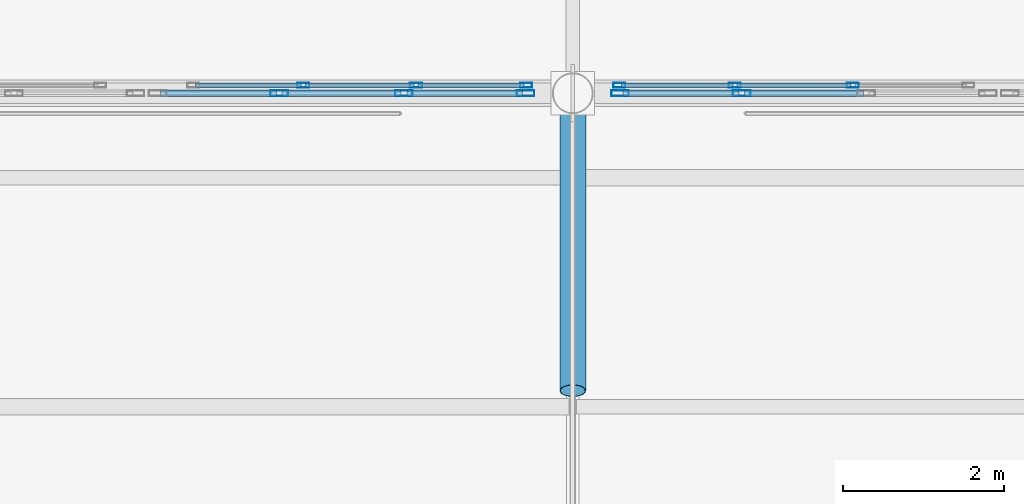
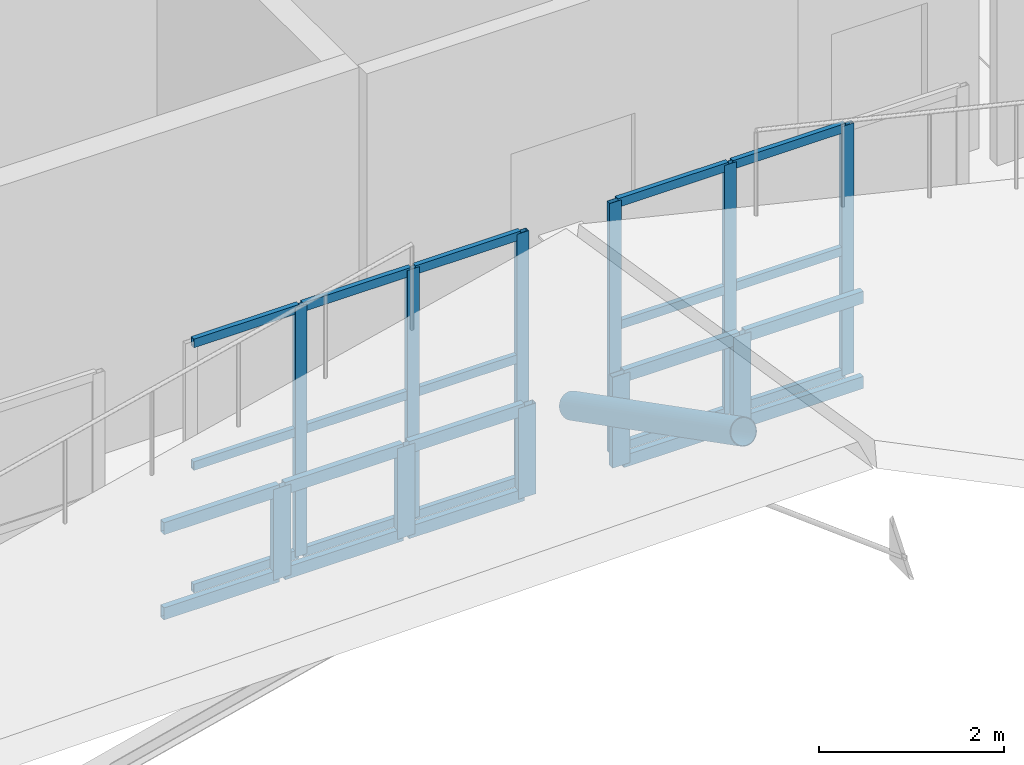
# One storey, part 46 of 120: 37 members, 4 elements without a shape of their own.
"""IFC4 building model written with IfcOpenShell, lengths in metres."""

from ifc_helpers import new_model, si_unit, direction, frame, origin, origin_2d, place, context, subcontext, project, spatial, hollow_rectangle, hollow_circle, extrude, material, material_profile, profile_set, type_object, element, aggregate, save


model = new_model("IFC4")

# Units and contexts
model_context = context("Model", 3, precision=1e-05, world=origin(), true_north=direction((0.0, 1.0)))
body_context = subcontext(model_context, "Body", "Model", "MODEL_VIEW")
ifc_project = project(units=[si_unit("LENGTHUNIT", "METRE"), si_unit("AREAUNIT", "SQUARE_METRE"), si_unit("VOLUMEUNIT", "CUBIC_METRE"), si_unit("PLANEANGLEUNIT", "RADIAN"), si_unit("MASSUNIT", "GRAM", prefix="KILO")], contexts=[model_context])

# Site, building, storey
site_placement = place(None, origin())
site = spatial("IfcSite", under=ifc_project, at=site_placement, CompositionType="ELEMENT")
building_placement = place(site_placement, origin())
building = spatial("IfcBuilding", under=site, at=building_placement, Name="Caurita Quay Ferry Terminal", CompositionType="ELEMENT")
storey_placement = place(building_placement, frame((0.0, 0.0, 9.89990234375)))
storey = spatial("IfcBuildingStorey", under=building, at=storey_placement, Name="L02", CompositionType="ELEMENT", Elevation=9.89990234375)

# Curtain wall, members
ifc_material_1 = material(Name="Laminated solar-control insulated glass", Category="glass")
curtain_wall_type_1 = type_object("IfcCurtainWallType", Name="CW-SYS-14", PredefinedType="NOTDEFINED", material=ifc_material_1)
curtain_wall_1_placement = place(storey_placement, origin())
curtain_wall_1 = element("IfcCurtainWall", 1, at=curtain_wall_1_placement, inside=storey, type_object=curtain_wall_type_1, Name="Mezzanine Hall Overlook Glazing 106", PredefinedType="NOTDEFINED")
ifc_material_2 = material(Name="Anodized aluminium 6063-T6", Category="aluminium")
ifc_material_profile_1 = material_profile(ifc_material_2, hollow_rectangle(XDim=0.06005859375, YDim=0.14990234375, WallThickness=0.00341796875, at=origin_2d()), Name="ALU-MUL-60X150")
ifc_profile_set_1 = profile_set([ifc_material_profile_1], Name="Anodized aluminium 6063-T6")
member_type_1 = type_object("IfcMemberType", Name="CW-MUL-150", PredefinedType="MULLION", material=ifc_profile_set_1)
member_1_placement = place(storey_placement, frame((95.85009765625, 62.800048828125, 0.0), z_axis=(0.0, 0.0, 1.0), x_axis=(0.0, 1.0, 0.0)))
member_1 = element("IfcMember", 2, at=member_1_placement, type_object=member_type_1, Name="CW-MZL-106 Mullion 2", PredefinedType="MULLION", context=body_context, shape_type="SweptSolid", body=[
    extrude(hollow_rectangle(XDim=0.06005859375, YDim=0.14990234375, WallThickness=0.00341796875, at=origin_2d()), origin(), (0.0, 0.0, 1.0), 3.300048828125),
])
member_2_placement = place(storey_placement, frame((97.25, 62.800048828125, 0.0), z_axis=(0.0, 0.0, 1.0), x_axis=(0.0, 1.0, 0.0)))
member_2 = element("IfcMember", 3, at=member_2_placement, type_object=member_type_1, Name="CW-MZL-106 Mullion 3", PredefinedType="MULLION", context=body_context, shape_type="SweptSolid", body=[
    extrude(hollow_rectangle(XDim=0.06005859375, YDim=0.14990234375, WallThickness=0.00341796875, at=origin_2d()), origin(), (0.0, 0.0, 1.0), 3.300048828125),
])
member_3_placement = place(storey_placement, frame((98.6201171875, 62.800048828125, 0.0), z_axis=(0.0, 0.0, 1.0), x_axis=(0.0, 1.0, 0.0)))
member_3 = element("IfcMember", 4, at=member_3_placement, type_object=member_type_1, Name="CW-MZL-106 Mullion 4", PredefinedType="MULLION", context=body_context, shape_type="SweptSolid", body=[
    extrude(hollow_rectangle(XDim=0.06005859375, YDim=0.14990234375, WallThickness=0.00341796875, at=origin_2d()), origin(), (0.0, 0.0, 1.0), 3.300048828125),
])

curtain_wall_type_2 = type_object("IfcCurtainWallType", Name="CW-SYS-13", PredefinedType="NOTDEFINED", material=ifc_material_1)
curtain_wall_2_placement = place(storey_placement, origin())
curtain_wall_2 = element("IfcCurtainWall", 5, at=curtain_wall_2_placement, inside=storey, type_object=curtain_wall_type_2, Name="Mezzanine Hall Overlook Glazing 107", PredefinedType="NOTDEFINED")
member_4_placement = place(storey_placement, frame((99.780029296875, 62.800048828125, 0.0), z_axis=(0.0, 0.0, 1.0), x_axis=(0.0, 1.0, 0.0)))
member_4 = element("IfcMember", 6, at=member_4_placement, type_object=member_type_1, Name="CW-MZL-107 Mullion 1", PredefinedType="MULLION", context=body_context, shape_type="SweptSolid", body=[
    extrude(hollow_rectangle(XDim=0.06005859375, YDim=0.14990234375, WallThickness=0.00341796875, at=origin_2d()), origin(), (0.0, 0.0, 1.0), 3.300048828125),
])
member_5_placement = place(storey_placement, frame((101.216796875, 62.800048828125, 0.0), z_axis=(0.0, 0.0, 1.0), x_axis=(0.0, 1.0, 0.0)))
member_5 = element("IfcMember", 7, at=member_5_placement, type_object=member_type_1, Name="CW-MZL-107 Mullion 2", PredefinedType="MULLION", context=body_context, shape_type="SweptSolid", body=[
    extrude(hollow_rectangle(XDim=0.06005859375, YDim=0.14990234375, WallThickness=0.00341796875, at=origin_2d()), origin(), (0.0, 0.0, 1.0), 3.300048828125),
])
member_6_placement = place(storey_placement, frame((102.683349609375, 62.800048828125, 0.0), z_axis=(0.0, 0.0, 1.0), x_axis=(0.0, 1.0, 0.0)))
member_6 = element("IfcMember", 8, at=member_6_placement, type_object=member_type_1, Name="CW-MZL-107 Mullion 3", PredefinedType="MULLION", context=body_context, shape_type="SweptSolid", body=[
    extrude(hollow_rectangle(XDim=0.06005859375, YDim=0.14990234375, WallThickness=0.00341796875, at=origin_2d()), origin(), (0.0, 0.0, 1.0), 3.300048828125),
])

curtain_wall_type_3 = type_object("IfcCurtainWallType", Name="CW-SYS-05", PredefinedType="NOTDEFINED", material=ifc_material_1)
curtain_wall_3_placement = place(storey_placement, origin())
curtain_wall_3 = element("IfcCurtainWall", 9, at=curtain_wall_3_placement, inside=storey, type_object=curtain_wall_type_3, Name="Folded Roof Clerestory FB-05-N2", PredefinedType="NOTDEFINED")
ifc_material_profile_2 = material_profile(ifc_material_2, hollow_rectangle(XDim=0.074951171875, YDim=0.219970703125, WallThickness=0.00390625, at=origin_2d()), Name="ALU-MUL-75X220")
ifc_profile_set_2 = profile_set([ifc_material_profile_2], Name="Anodized aluminium 6063-T6")
member_type_2 = type_object("IfcMemberType", Name="CW-MUL-220", PredefinedType="MULLION", material=ifc_profile_set_2)
member_7_placement = place(storey_placement, frame((95.550048828125, 62.699951171875, -0.122802734375), z_axis=(0.0, 0.0, 1.0), x_axis=(0.0, 1.0, 0.0)))
member_7 = element("IfcMember", 10, at=member_7_placement, type_object=member_type_2, Name="CW-CLR-038 Mullion 2", PredefinedType="MULLION", context=body_context, shape_type="SweptSolid", body=[
    extrude(hollow_rectangle(XDim=0.074951171875, YDim=0.219970703125, WallThickness=0.00390625, at=origin_2d()), origin(), (0.0, 0.0, 1.0), 1.199951171875),
])
member_8_placement = place(storey_placement, frame((97.10009765625, 62.699951171875, -0.122802734375), z_axis=(0.0, 0.0, 1.0), x_axis=(0.0, 1.0, 0.0)))
member_8 = element("IfcMember", 11, at=member_8_placement, type_object=member_type_2, Name="CW-CLR-038 Mullion 3", PredefinedType="MULLION", context=body_context, shape_type="SweptSolid", body=[
    extrude(hollow_rectangle(XDim=0.074951171875, YDim=0.219970703125, WallThickness=0.00390625, at=origin_2d()), origin(), (0.0, 0.0, 1.0), 1.199951171875),
])
member_9_placement = place(storey_placement, frame((98.612548828125, 62.699951171875, -0.122802734375), z_axis=(0.0, 0.0, 1.0), x_axis=(0.0, 1.0, 0.0)))
member_9 = element("IfcMember", 12, at=member_9_placement, type_object=member_type_2, Name="CW-CLR-038 Mullion 4", PredefinedType="MULLION", context=body_context, shape_type="SweptSolid", body=[
    extrude(hollow_rectangle(XDim=0.074951171875, YDim=0.219970703125, WallThickness=0.00390625, at=origin_2d()), origin(), (0.0, 0.0, 1.0), 1.199951171875),
])

curtain_wall_4_placement = place(storey_placement, origin())
curtain_wall_4 = element("IfcCurtainWall", 13, at=curtain_wall_4_placement, inside=storey, type_object=curtain_wall_type_3, Name="Folded Roof Clerestory FB-05-N3", PredefinedType="NOTDEFINED")
member_10_placement = place(storey_placement, frame((99.78759765625, 62.699951171875, -0.122802734375), z_axis=(0.0, 0.0, 1.0), x_axis=(0.0, 1.0, 0.0)))
member_10 = element("IfcMember", 14, at=member_10_placement, type_object=member_type_2, Name="CW-CLR-039 Mullion 1", PredefinedType="MULLION", context=body_context, shape_type="SweptSolid", body=[
    extrude(hollow_rectangle(XDim=0.074951171875, YDim=0.219970703125, WallThickness=0.00390625, at=origin_2d()), origin(), (0.0, 0.0, 1.0), 1.199951171875),
])
member_11_placement = place(storey_placement, frame((101.300048828125, 62.699951171875, -0.122802734375), z_axis=(0.0, 0.0, 1.0), x_axis=(0.0, 1.0, 0.0)))
member_11 = element("IfcMember", 15, at=member_11_placement, type_object=member_type_2, Name="CW-CLR-039 Mullion 2", PredefinedType="MULLION", context=body_context, shape_type="SweptSolid", body=[
    extrude(hollow_rectangle(XDim=0.074951171875, YDim=0.219970703125, WallThickness=0.00390625, at=origin_2d()), origin(), (0.0, 0.0, 1.0), 1.199951171875),
])

# Member
ifc_material_profile_3 = material_profile(ifc_material_2, hollow_rectangle(XDim=0.06005859375, YDim=0.114990234375, WallThickness=0.00341796875, at=origin_2d()), Name="ALU-TRN-60X115")
ifc_profile_set_3 = profile_set([ifc_material_profile_3], Name="Anodized aluminium 6063-T6")
member_type_3 = type_object("IfcMemberType", Name="CW-TRN-115", PredefinedType="USERDEFINED", material=ifc_profile_set_3)
member_12_placement = place(storey_placement, frame((94.508056640625, 62.800048828125, 0.030029296875), z_axis=(1.0, 0.0, 0.0), x_axis=(0.0, 1.0, 0.0)))
member_12 = element("IfcMember", 16, at=member_12_placement, type_object=member_type_3, Name="CW-MZL-106 Transom 1", ObjectType="TRANSOM", PredefinedType="USERDEFINED", context=body_context, shape_type="SweptSolid", body=[
    extrude(hollow_rectangle(XDim=0.06005859375, YDim=0.114990234375, WallThickness=0.00341796875, at=origin_2d()), origin(), (0.0, 0.0, 1.0), 1.31396484375),
])

member_13_placement = place(storey_placement, frame((94.508056640625, 62.800048828125, 1.650146484375), z_axis=(1.0, 0.0, 0.0), x_axis=(0.0, 1.0, 0.0)))
member_13 = element("IfcMember", 17, at=member_13_placement, type_object=member_type_3, Name="CW-MZL-106 Transom 2", ObjectType="TRANSOM", PredefinedType="USERDEFINED", context=body_context, shape_type="SweptSolid", body=[
    extrude(hollow_rectangle(XDim=0.06005859375, YDim=0.114990234375, WallThickness=0.00341796875, at=origin_2d()), origin(), (0.0, 0.0, 1.0), 1.31396484375),
])

member_14_placement = place(storey_placement, frame((94.508056640625, 62.800048828125, 3.27001953125), z_axis=(1.0, 0.0, 0.0), x_axis=(0.0, 1.0, 0.0)))
member_14 = element("IfcMember", 18, at=member_14_placement, type_object=member_type_3, Name="CW-MZL-106 Transom 3", ObjectType="TRANSOM", PredefinedType="USERDEFINED", context=body_context, shape_type="SweptSolid", body=[
    extrude(hollow_rectangle(XDim=0.06005859375, YDim=0.114990234375, WallThickness=0.00341796875, at=origin_2d()), origin(), (0.0, 0.0, 1.0), 1.31396484375),
])

member_15_placement = place(storey_placement, frame((95.8779296875, 62.800048828125, 0.030029296875), z_axis=(1.0, 0.0, 0.0), x_axis=(0.0, 1.0, 0.0)))
member_15 = element("IfcMember", 19, at=member_15_placement, type_object=member_type_3, Name="CW-MZL-106 Transom 4", ObjectType="TRANSOM", PredefinedType="USERDEFINED", context=body_context, shape_type="SweptSolid", body=[
    extrude(hollow_rectangle(XDim=0.06005859375, YDim=0.114990234375, WallThickness=0.00341796875, at=origin_2d()), origin(), (0.0, 0.0, 1.0), 1.343994140625),
])

member_16_placement = place(storey_placement, frame((95.8779296875, 62.800048828125, 1.650146484375), z_axis=(1.0, 0.0, 0.0), x_axis=(0.0, 1.0, 0.0)))
member_16 = element("IfcMember", 20, at=member_16_placement, type_object=member_type_3, Name="CW-MZL-106 Transom 5", ObjectType="TRANSOM", PredefinedType="USERDEFINED", context=body_context, shape_type="SweptSolid", body=[
    extrude(hollow_rectangle(XDim=0.06005859375, YDim=0.114990234375, WallThickness=0.00341796875, at=origin_2d()), origin(), (0.0, 0.0, 1.0), 1.343994140625),
])

member_17_placement = place(storey_placement, frame((95.8779296875, 62.800048828125, 3.27001953125), z_axis=(1.0, 0.0, 0.0), x_axis=(0.0, 1.0, 0.0)))
member_17 = element("IfcMember", 21, at=member_17_placement, type_object=member_type_3, Name="CW-MZL-106 Transom 6", ObjectType="TRANSOM", PredefinedType="USERDEFINED", context=body_context, shape_type="SweptSolid", body=[
    extrude(hollow_rectangle(XDim=0.06005859375, YDim=0.114990234375, WallThickness=0.00341796875, at=origin_2d()), origin(), (0.0, 0.0, 1.0), 1.343994140625),
])

member_18_placement = place(storey_placement, frame((97.278076171875, 62.800048828125, 0.030029296875), z_axis=(1.0, 0.0, 0.0), x_axis=(0.0, 1.0, 0.0)))
member_18 = element("IfcMember", 22, at=member_18_placement, type_object=member_type_3, Name="CW-MZL-106 Transom 7", ObjectType="TRANSOM", PredefinedType="USERDEFINED", context=body_context, shape_type="SweptSolid", body=[
    extrude(hollow_rectangle(XDim=0.06005859375, YDim=0.114990234375, WallThickness=0.00341796875, at=origin_2d()), origin(), (0.0, 0.0, 1.0), 1.31396484375),
])

member_19_placement = place(storey_placement, frame((97.278076171875, 62.800048828125, 1.650146484375), z_axis=(1.0, 0.0, 0.0), x_axis=(0.0, 1.0, 0.0)))
member_19 = element("IfcMember", 23, at=member_19_placement, type_object=member_type_3, Name="CW-MZL-106 Transom 8", ObjectType="TRANSOM", PredefinedType="USERDEFINED", context=body_context, shape_type="SweptSolid", body=[
    extrude(hollow_rectangle(XDim=0.06005859375, YDim=0.114990234375, WallThickness=0.00341796875, at=origin_2d()), origin(), (0.0, 0.0, 1.0), 1.31396484375),
])

member_20_placement = place(storey_placement, frame((97.278076171875, 62.800048828125, 3.27001953125), z_axis=(1.0, 0.0, 0.0), x_axis=(0.0, 1.0, 0.0)))
member_20 = element("IfcMember", 24, at=member_20_placement, type_object=member_type_3, Name="CW-MZL-106 Transom 9", ObjectType="TRANSOM", PredefinedType="USERDEFINED", context=body_context, shape_type="SweptSolid", body=[
    extrude(hollow_rectangle(XDim=0.06005859375, YDim=0.114990234375, WallThickness=0.00341796875, at=origin_2d()), origin(), (0.0, 0.0, 1.0), 1.31396484375),
])

aggregate(curtain_wall_1, [member_1, member_2, member_3, member_12, member_13, member_14, member_15, member_16, member_17, member_18, member_19, member_20])

member_21_placement = place(storey_placement, frame((99.80810546875, 62.800048828125, 0.030029296875), z_axis=(1.0, 0.0, 0.0), x_axis=(0.0, 1.0, 0.0)))
member_21 = element("IfcMember", 25, at=member_21_placement, type_object=member_type_3, Name="CW-MZL-107 Transom 1", ObjectType="TRANSOM", PredefinedType="USERDEFINED", context=body_context, shape_type="SweptSolid", body=[
    extrude(hollow_rectangle(XDim=0.06005859375, YDim=0.114990234375, WallThickness=0.00341796875, at=origin_2d()), origin(), (0.0, 0.0, 1.0), 1.380615234375),
])

member_22_placement = place(storey_placement, frame((99.80810546875, 62.800048828125, 1.650146484375), z_axis=(1.0, 0.0, 0.0), x_axis=(0.0, 1.0, 0.0)))
member_22 = element("IfcMember", 26, at=member_22_placement, type_object=member_type_3, Name="CW-MZL-107 Transom 2", ObjectType="TRANSOM", PredefinedType="USERDEFINED", context=body_context, shape_type="SweptSolid", body=[
    extrude(hollow_rectangle(XDim=0.06005859375, YDim=0.114990234375, WallThickness=0.00341796875, at=origin_2d()), origin(), (0.0, 0.0, 1.0), 1.380615234375),
])

member_23_placement = place(storey_placement, frame((99.80810546875, 62.800048828125, 3.27001953125), z_axis=(1.0, 0.0, 0.0), x_axis=(0.0, 1.0, 0.0)))
member_23 = element("IfcMember", 27, at=member_23_placement, type_object=member_type_3, Name="CW-MZL-107 Transom 3", ObjectType="TRANSOM", PredefinedType="USERDEFINED", context=body_context, shape_type="SweptSolid", body=[
    extrude(hollow_rectangle(XDim=0.06005859375, YDim=0.114990234375, WallThickness=0.00341796875, at=origin_2d()), origin(), (0.0, 0.0, 1.0), 1.380615234375),
])

member_24_placement = place(storey_placement, frame((101.24462890625, 62.800048828125, 0.030029296875), z_axis=(1.0, 0.0, 0.0), x_axis=(0.0, 1.0, 0.0)))
member_24 = element("IfcMember", 28, at=member_24_placement, type_object=member_type_3, Name="CW-MZL-107 Transom 4", ObjectType="TRANSOM", PredefinedType="USERDEFINED", context=body_context, shape_type="SweptSolid", body=[
    extrude(hollow_rectangle(XDim=0.06005859375, YDim=0.114990234375, WallThickness=0.00341796875, at=origin_2d()), origin(), (0.0, 0.0, 1.0), 1.41064453125),
])

member_25_placement = place(storey_placement, frame((101.24462890625, 62.800048828125, 1.650146484375), z_axis=(1.0, 0.0, 0.0), x_axis=(0.0, 1.0, 0.0)))
member_25 = element("IfcMember", 29, at=member_25_placement, type_object=member_type_3, Name="CW-MZL-107 Transom 5", ObjectType="TRANSOM", PredefinedType="USERDEFINED", context=body_context, shape_type="SweptSolid", body=[
    extrude(hollow_rectangle(XDim=0.06005859375, YDim=0.114990234375, WallThickness=0.00341796875, at=origin_2d()), origin(), (0.0, 0.0, 1.0), 1.41064453125),
])

member_26_placement = place(storey_placement, frame((101.24462890625, 62.800048828125, 3.27001953125), z_axis=(1.0, 0.0, 0.0), x_axis=(0.0, 1.0, 0.0)))
member_26 = element("IfcMember", 30, at=member_26_placement, type_object=member_type_3, Name="CW-MZL-107 Transom 6", ObjectType="TRANSOM", PredefinedType="USERDEFINED", context=body_context, shape_type="SweptSolid", body=[
    extrude(hollow_rectangle(XDim=0.06005859375, YDim=0.114990234375, WallThickness=0.00341796875, at=origin_2d()), origin(), (0.0, 0.0, 1.0), 1.41064453125),
])

aggregate(curtain_wall_2, [member_4, member_5, member_6, member_21, member_22, member_23, member_24, member_25, member_26])

ifc_material_profile_4 = material_profile(ifc_material_2, hollow_rectangle(XDim=0.074951171875, YDim=0.159912109375, WallThickness=0.00390625, at=origin_2d()), Name="ALU-TRN-75X160")
ifc_profile_set_4 = profile_set([ifc_material_profile_4], Name="Anodized aluminium 6063-T6")
member_type_4 = type_object("IfcMemberType", Name="CW-TRN-160", PredefinedType="USERDEFINED", material=ifc_profile_set_4)
member_27_placement = place(storey_placement, frame((94.072998046875, 62.699951171875, -0.08544921875), z_axis=(1.0, 0.0, 0.0), x_axis=(0.0, 1.0, 0.0)))
member_27 = element("IfcMember", 31, at=member_27_placement, type_object=member_type_4, Name="CW-CLR-038 Transom 1", ObjectType="TRANSOM", PredefinedType="USERDEFINED", context=body_context, shape_type="SweptSolid", body=[
    extrude(hollow_rectangle(XDim=0.074951171875, YDim=0.159912109375, WallThickness=0.00390625, at=origin_2d()), origin(), (0.0, 0.0, 1.0), 1.44140625),
])

member_28_placement = place(storey_placement, frame((94.072998046875, 62.699951171875, 1.03955078125), z_axis=(1.0, 0.0, 0.0), x_axis=(0.0, 1.0, 0.0)))
member_28 = element("IfcMember", 32, at=member_28_placement, type_object=member_type_4, Name="CW-CLR-038 Transom 2", ObjectType="TRANSOM", PredefinedType="USERDEFINED", context=body_context, shape_type="SweptSolid", body=[
    extrude(hollow_rectangle(XDim=0.074951171875, YDim=0.159912109375, WallThickness=0.00390625, at=origin_2d()), origin(), (0.0, 0.0, 1.0), 1.44140625),
])

member_29_placement = place(storey_placement, frame((95.58544921875, 62.699951171875, -0.08544921875), z_axis=(1.0, 0.0, 0.0), x_axis=(0.0, 1.0, 0.0)))
member_29 = element("IfcMember", 33, at=member_29_placement, type_object=member_type_4, Name="CW-CLR-038 Transom 3", ObjectType="TRANSOM", PredefinedType="USERDEFINED", context=body_context, shape_type="SweptSolid", body=[
    extrude(hollow_rectangle(XDim=0.074951171875, YDim=0.159912109375, WallThickness=0.00390625, at=origin_2d()), origin(), (0.0, 0.0, 1.0), 1.47900390625),
])

member_30_placement = place(storey_placement, frame((95.58544921875, 62.699951171875, 1.03955078125), z_axis=(1.0, 0.0, 0.0), x_axis=(0.0, 1.0, 0.0)))
member_30 = element("IfcMember", 34, at=member_30_placement, type_object=member_type_4, Name="CW-CLR-038 Transom 4", ObjectType="TRANSOM", PredefinedType="USERDEFINED", context=body_context, shape_type="SweptSolid", body=[
    extrude(hollow_rectangle(XDim=0.074951171875, YDim=0.159912109375, WallThickness=0.00390625, at=origin_2d()), origin(), (0.0, 0.0, 1.0), 1.47900390625),
])

member_31_placement = place(storey_placement, frame((97.135498046875, 62.699951171875, -0.08544921875), z_axis=(1.0, 0.0, 0.0), x_axis=(0.0, 1.0, 0.0)))
member_31 = element("IfcMember", 35, at=member_31_placement, type_object=member_type_4, Name="CW-CLR-038 Transom 5", ObjectType="TRANSOM", PredefinedType="USERDEFINED", context=body_context, shape_type="SweptSolid", body=[
    extrude(hollow_rectangle(XDim=0.074951171875, YDim=0.159912109375, WallThickness=0.00390625, at=origin_2d()), origin(), (0.0, 0.0, 1.0), 1.44140625),
])

member_32_placement = place(storey_placement, frame((97.135498046875, 62.699951171875, 1.03955078125), z_axis=(1.0, 0.0, 0.0), x_axis=(0.0, 1.0, 0.0)))
member_32 = element("IfcMember", 36, at=member_32_placement, type_object=member_type_4, Name="CW-CLR-038 Transom 6", ObjectType="TRANSOM", PredefinedType="USERDEFINED", context=body_context, shape_type="SweptSolid", body=[
    extrude(hollow_rectangle(XDim=0.074951171875, YDim=0.159912109375, WallThickness=0.00390625, at=origin_2d()), origin(), (0.0, 0.0, 1.0), 1.44140625),
])

aggregate(curtain_wall_3, [member_7, member_8, member_9, member_27, member_28, member_29, member_30, member_31, member_32])

member_33_placement = place(storey_placement, frame((99.822998046875, 62.699951171875, -0.08544921875), z_axis=(1.0, 0.0, 0.0), x_axis=(0.0, 1.0, 0.0)))
member_33 = element("IfcMember", 37, at=member_33_placement, type_object=member_type_4, Name="CW-CLR-039 Transom 1", ObjectType="TRANSOM", PredefinedType="USERDEFINED", context=body_context, shape_type="SweptSolid", body=[
    extrude(hollow_rectangle(XDim=0.074951171875, YDim=0.159912109375, WallThickness=0.00390625, at=origin_2d()), origin(), (0.0, 0.0, 1.0), 1.44140625),
])

member_34_placement = place(storey_placement, frame((99.822998046875, 62.699951171875, 1.03955078125), z_axis=(1.0, 0.0, 0.0), x_axis=(0.0, 1.0, 0.0)))
member_34 = element("IfcMember", 38, at=member_34_placement, type_object=member_type_4, Name="CW-CLR-039 Transom 2", ObjectType="TRANSOM", PredefinedType="USERDEFINED", context=body_context, shape_type="SweptSolid", body=[
    extrude(hollow_rectangle(XDim=0.074951171875, YDim=0.159912109375, WallThickness=0.00390625, at=origin_2d()), origin(), (0.0, 0.0, 1.0), 1.44140625),
])

member_35_placement = place(storey_placement, frame((101.33544921875, 62.699951171875, -0.08544921875), z_axis=(1.0, 0.0, 0.0), x_axis=(0.0, 1.0, 0.0)))
member_35 = element("IfcMember", 39, at=member_35_placement, type_object=member_type_4, Name="CW-CLR-039 Transom 3", ObjectType="TRANSOM", PredefinedType="USERDEFINED", context=body_context, shape_type="SweptSolid", body=[
    extrude(hollow_rectangle(XDim=0.074951171875, YDim=0.159912109375, WallThickness=0.00390625, at=origin_2d()), origin(), (0.0, 0.0, 1.0), 1.47900390625),
])

member_36_placement = place(storey_placement, frame((101.33544921875, 62.699951171875, 1.03955078125), z_axis=(1.0, 0.0, 0.0), x_axis=(0.0, 1.0, 0.0)))
member_36 = element("IfcMember", 40, at=member_36_placement, type_object=member_type_4, Name="CW-CLR-039 Transom 4", ObjectType="TRANSOM", PredefinedType="USERDEFINED", context=body_context, shape_type="SweptSolid", body=[
    extrude(hollow_rectangle(XDim=0.074951171875, YDim=0.159912109375, WallThickness=0.00390625, at=origin_2d()), origin(), (0.0, 0.0, 1.0), 1.47900390625),
])

aggregate(curtain_wall_4, [member_10, member_11, member_33, member_34, member_35, member_36])

ifc_material_3 = material(Name="Hollow structural steel ASTM A500 Gr. C", Category="steel")
ifc_material_profile_5 = material_profile(ifc_material_3, hollow_circle(Radius=0.161865234375, WallThickness=0.0087890625, at=origin_2d()), Name="HSS12.750X0.375")
ifc_profile_set_5 = profile_set([ifc_material_profile_5], Name="Hollow structural steel ASTM A500 Gr. C")
member_type_5 = type_object("IfcMemberType", Name="MEM-STR-12", PredefinedType="STRUT", material=ifc_profile_set_5)
member_37_placement = place(storey_placement, frame((99.199951171875, 62.699951171875, 0.85009765625), z_axis=(0.0, -0.889574109345, 0.456790875547), x_axis=(1.0, 0.0, 0.0)))
element("IfcMember", 41, at=member_37_placement, inside=storey, type_object=member_type_5, Name="Mast Tree-Strut V2-02-S2", PredefinedType="STRUT", context=body_context, shape_type="SweptSolid", body=[
    extrude(hollow_circle(Radius=0.161865234375, WallThickness=0.0087890625, at=origin_2d()), origin(), (0.0, 0.0, 1.0), 4.1591796875),
])

save(model, "model.ifc")
